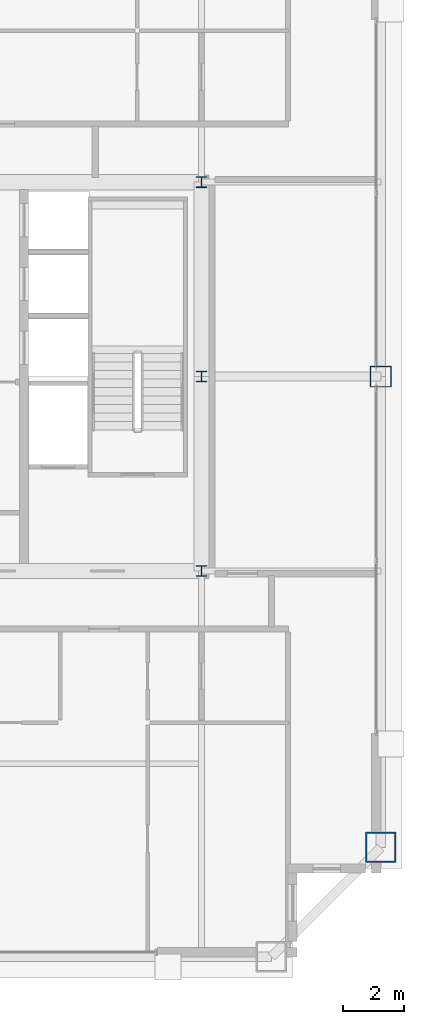
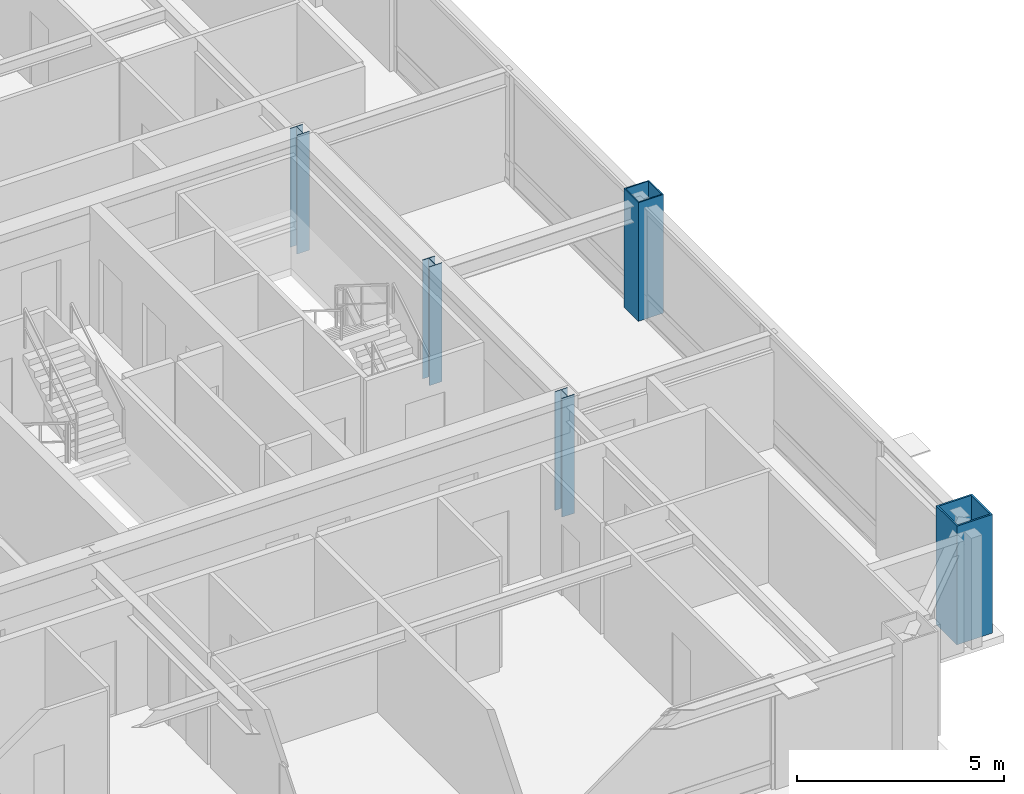
# One storey, part 2 of 35: 5 columns.
"""IFC4 building model written with IfcOpenShell, lengths in metres."""

from ifc_helpers import new_model, si_unit, direction, frame, origin, origin_2d, place, context, subcontext, project, spatial, hollow_rectangle, i_section, extrude, source, transform, mapped, material, material_profile, profile_set, type_object, element, save


model = new_model("IFC4")

# Units and contexts
model_context = context("Model", 3, precision=1e-05, world=origin(), true_north=direction((0.0, 1.0)))
body_context = subcontext(model_context, "Body", "Model", "MODEL_VIEW")
ifc_project = project(units=[si_unit("LENGTHUNIT", "METRE"), si_unit("AREAUNIT", "SQUARE_METRE"), si_unit("VOLUMEUNIT", "CUBIC_METRE"), si_unit("PLANEANGLEUNIT", "RADIAN"), si_unit("MASSUNIT", "GRAM", prefix="KILO"), si_unit("THERMODYNAMICTEMPERATUREUNIT", "KELVIN"), si_unit("POWERUNIT", "WATT")], contexts=[model_context])

# Site, building, storey
site_placement = place(None, origin())
site = spatial("IfcSite", under=ifc_project, at=site_placement, CompositionType="ELEMENT")
building_placement = place(site_placement, origin())
building = spatial("IfcBuilding", under=site, at=building_placement, Name="Yuzanri Waterfront Tower", CompositionType="ELEMENT")
storey_placement = place(building_placement, frame((0.0, 0.0, 311.199951171875)))
storey = spatial("IfcBuildingStorey", under=building, at=storey_placement, Name="L83", CompositionType="ELEMENT", Elevation=311.199951171875)

# Columns
ifc_material_1 = material(Name="Steel Q355B", Category="steel")
ifc_material_profile_1 = material_profile(ifc_material_1, hollow_rectangle(XDim=0.699951171875, YDim=0.699951171875, WallThickness=0.031982421875, at=origin_2d()), Name="RHS 700x700x32")
ifc_profile_set_1 = profile_set([ifc_material_profile_1], Name="Steel Q355B")
column_type_1 = type_object("IfcColumnType", Name="Frame Column Q355B RHS 700x700x32", PredefinedType="COLUMN", material=ifc_profile_set_1)
shared_shape_1 = source(origin(), body_context, "Body", "SweptSolid", [
    extrude(hollow_rectangle(XDim=0.699951171875, YDim=0.699951171875, WallThickness=0.031982421875, at=origin_2d()), origin(), (0.0, 0.0, 1.0), 3.5),
])
column_1_placement = place(storey_placement, frame((56.10009765625, 25.800048828125, 0.0), z_axis=(0.0, 0.0, 1.0), x_axis=(1.0, 0.0, 0.0)))
element("IfcColumn", 1, at=column_1_placement, inside=storey, type_object=column_type_1, Name="L83 Perimeter Frame Column E2", PredefinedType="COLUMN", context=body_context, shape_type="MappedRepresentation", body=[
    mapped(shared_shape_1, transform((0.0, 0.0, 0.0), scale=1.0)),
])
ifc_material_2 = material(Name="Steel Q355B", Category="steel")
ifc_material_profile_2 = material_profile(ifc_material_2, i_section(OverallWidth=0.35009765625, OverallDepth=0.35009765625, WebThickness=0.011962890625, FlangeThickness=0.01904296875, at=origin_2d()), Name="HW 350x350x12x19")
ifc_profile_set_2 = profile_set([ifc_material_profile_2], Name="Steel Q355B")
column_type_2 = type_object("IfcColumnType", Name="Core Post Q355B HW 350x350x12x19", PredefinedType="COLUMN", material=ifc_profile_set_2)
shared_shape_2 = source(origin(), body_context, "Body", "SweptSolid", [
    extrude(i_section(OverallWidth=0.35009765625, OverallDepth=0.35009765625, WebThickness=0.011962890625, FlangeThickness=0.01904296875, at=origin_2d()), origin(), (0.0, 0.0, 1.0), 3.5),
])
for number, where, z_axis, x_axis, name in (
    (2, (50.199951171875, 19.39990234375, 0.0), (0.0, 0.0, 1.0), (1.0, 0.0, 0.0), "L83 Core Boundary Column CP3"),
    (3, (50.199951171875, 25.800048828125, 0.0), (0.0, 0.0, 1.0), (1.0, 0.0, 0.0), "L83 Core Boundary Column CP5"),
    (4, (50.199951171875, 32.199951171875, 0.0), (0.0, 0.0, 1.0), (1.0, 0.0, 0.0), "L83 Core Boundary Column CP8"),
):
    element("IfcColumn", number, at=place(storey_placement, frame(where, z_axis=z_axis, x_axis=x_axis)), inside=storey, type_object=column_type_2, Name=name, PredefinedType="COLUMN", context=body_context, shape_type="MappedRepresentation", body=[
        mapped(shared_shape_2, transform((0.0, 0.0, 0.0), scale=1.0)),
    ])
ifc_material_3 = material(Name="Steel Q390GJC", Category="steel")
ifc_material_profile_3 = material_profile(ifc_material_3, hollow_rectangle(XDim=1.0, YDim=1.0, WallThickness=0.048095703125, at=origin_2d()), Name="RHS 1000x1000x48")
ifc_profile_set_3 = profile_set([ifc_material_profile_3], Name="Steel Q390GJC")
column_type_3 = type_object("IfcColumnType", Name="Mega Column Q390GJC RHS 1000x1000x48", PredefinedType="COLUMN", material=ifc_profile_set_3)
shared_shape_3 = source(origin(), body_context, "Body", "SweptSolid", [
    extrude(hollow_rectangle(XDim=1.0, YDim=1.0, WallThickness=0.048095703125, at=origin_2d()), origin(), (0.0, 0.0, 1.0), 3.5),
])
column_2_placement = place(storey_placement, frame((56.10009765625, 10.300048828125, 0.0), z_axis=(0.0, 0.0, 1.0), x_axis=(1.0, 0.0, 0.0)))
element("IfcColumn", 5, at=column_2_placement, inside=storey, type_object=column_type_3, Name="L83 Perimeter Mega Column E1", PredefinedType="COLUMN", context=body_context, shape_type="MappedRepresentation", body=[
    mapped(shared_shape_3, transform((0.0, 0.0, 0.0), scale=1.0)),
])

save(model, "model.ifc")
